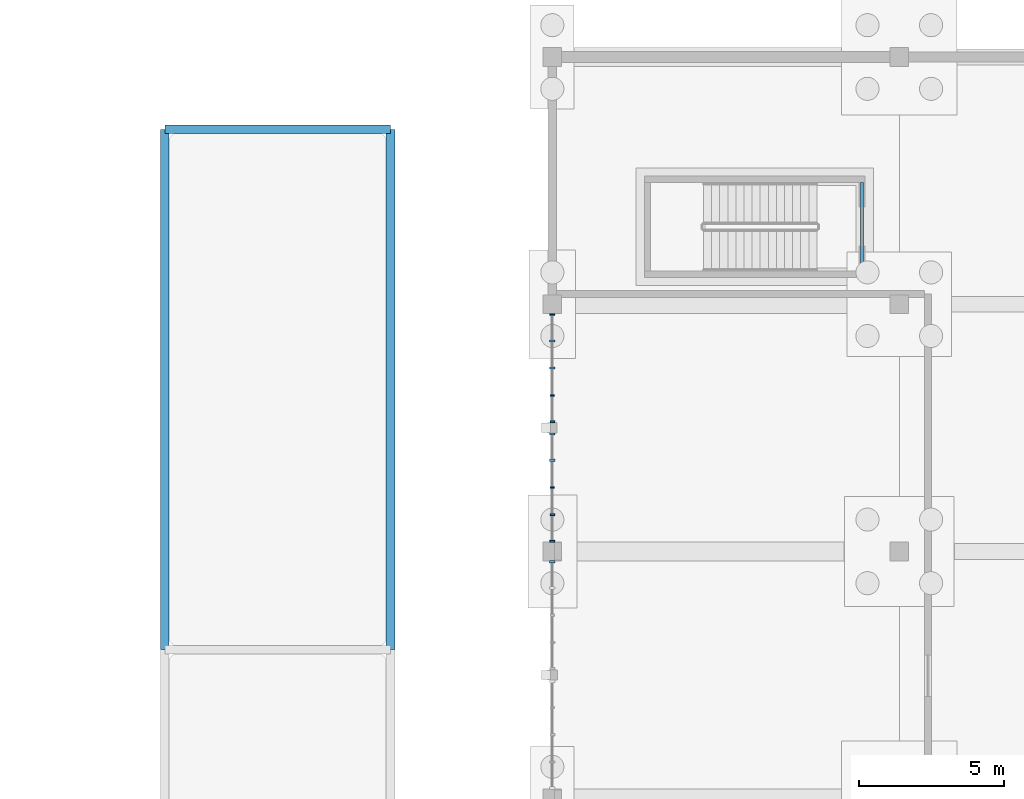
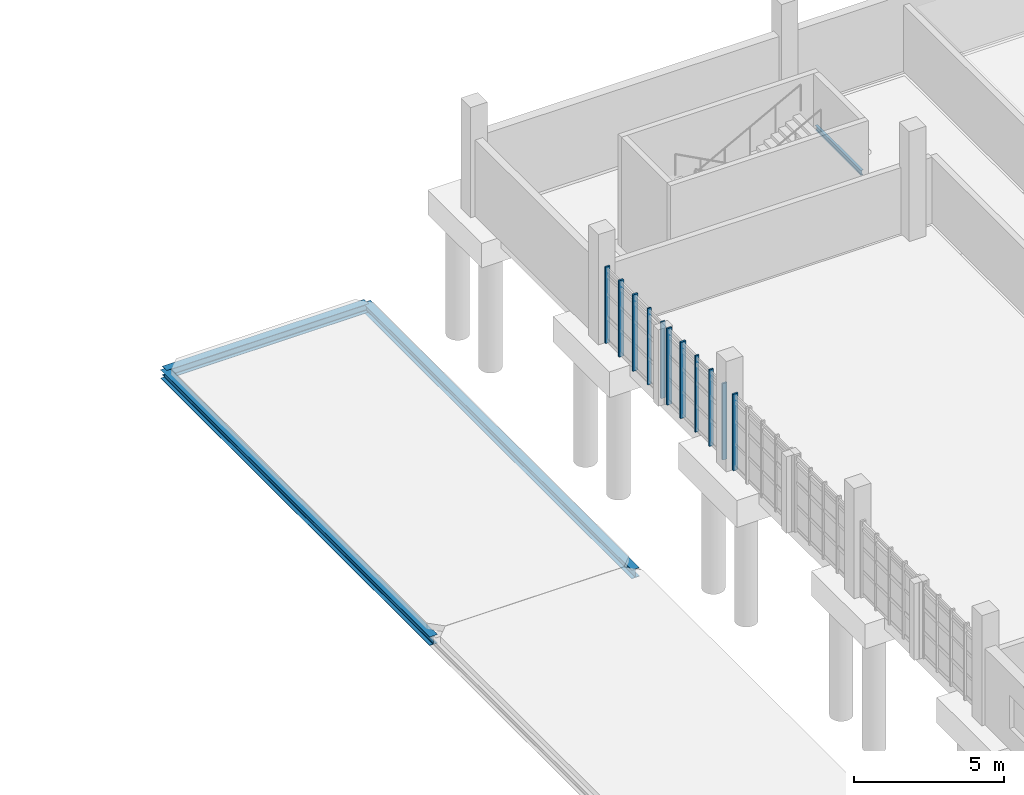
# One storey, part 50 of 125: 11 members, 4 beams, 3 elements without a shape of their own.
"""IFC4 building model written with IfcOpenShell, lengths in metres."""

from ifc_helpers import new_model, si_unit, direction, frame, origin, origin_2d, place, context, subcontext, project, spatial, rectangle, i_section, extrude, material, material_profile, profile_set, type_object, element, aggregate, save


model = new_model("IFC4")

# Units and contexts
model_context = context("Model", 3, precision=1e-05, world=origin(), true_north=direction((0.0, 1.0)))
body_context = subcontext(model_context, "Body", "Model", "MODEL_VIEW")
ifc_project = project(units=[si_unit("LENGTHUNIT", "METRE"), si_unit("AREAUNIT", "SQUARE_METRE"), si_unit("VOLUMEUNIT", "CUBIC_METRE"), si_unit("PLANEANGLEUNIT", "RADIAN"), si_unit("MASSUNIT", "GRAM", prefix="KILO")], contexts=[model_context])

# Site, building, storey
site_placement = place(None, origin())
site = spatial("IfcSite", under=ifc_project, at=site_placement, CompositionType="ELEMENT")
building_placement = place(site_placement, origin())
building = spatial("IfcBuilding", under=site, at=building_placement, Name="Serraforn Aerial Cableway Station", CompositionType="ELEMENT")
storey_placement = place(building_placement, frame((0.0, 0.0, 4.5)))
storey = spatial("IfcBuildingStorey", under=building, at=storey_placement, Name="L01", CompositionType="ELEMENT", Elevation=4.5)

# Beams
ifc_material_1 = material(Name="Steel S355JR", Category="steel")
ifc_material_profile_1 = material_profile(ifc_material_1, i_section(OverallWidth=0.300048828125, OverallDepth=0.360107421875, WebThickness=0.010009765625, FlangeThickness=0.017578125, FilletRadius=0.027099609375, at=origin_2d()), Name="HEA 360")
ifc_profile_set_1 = profile_set([ifc_material_profile_1], Name="Steel S355JR")
beam_type_1 = type_object("IfcBeamType", Name="BM-ST-HEA360", PredefinedType="BEAM", material=ifc_profile_set_1)
beam_1_placement = place(storey_placement, frame((130.60009765625, 111.5, -0.425048828125), z_axis=(1.0, 0.0, 0.0), x_axis=(0.0, 1.0, 0.0)))
element("IfcBeam", 1, at=beam_1_placement, inside=storey, type_object=beam_type_1, Name="Colonnade Spandrel Beam EX-1-4", PredefinedType="BEAM", context=body_context, shape_type="SweptSolid", body=[
    extrude(i_section(OverallWidth=0.300048828125, OverallDepth=0.360107421875, WebThickness=0.010009765625, FlangeThickness=0.017578125, FilletRadius=0.027099609375, at=origin_2d()), origin(), (0.0, 0.0, 1.0), 7.7998046875),
])
for number, where, z_axis, x_axis, name in (
    (2, (130.60009765625, 93.5, -0.425048828125), (0.0, 1.0, 0.0), (-1.0, 0.0, 0.0), "Colonnade Cross Beam EY-1-3"),
    (3, (138.39990234375, 93.5, -0.425048828125), (0.0, 1.0, 0.0), (-1.0, 0.0, 0.0), "Colonnade Cross Beam EY-2-3"),
):
    element("IfcBeam", number, at=place(storey_placement, frame(where, z_axis=z_axis, x_axis=x_axis)), inside=storey, type_object=beam_type_1, Name=name, PredefinedType="BEAM", context=body_context, shape_type="SweptSolid", body=[
        extrude(i_section(OverallWidth=0.300048828125, OverallDepth=0.360107421875, WebThickness=0.010009765625, FlangeThickness=0.017578125, FilletRadius=0.027099609375, at=origin_2d()), origin(), (0.0, 0.0, 1.0), 18.0),
    ])
ifc_material_profile_2 = material_profile(ifc_material_1, i_section(OverallWidth=0.10009765625, OverallDepth=0.199951171875, WebThickness=0.005615234375, FlangeThickness=0.008544921875, FilletRadius=0.011962890625, at=origin_2d()), Name="IPE 200")
ifc_profile_set_2 = profile_set([ifc_material_profile_2], Name="Steel S355JR")
beam_type_2 = type_object("IfcBeamType", Name="BM-ST-IPE200", PredefinedType="LINTEL", material=ifc_profile_set_2)
beam_2_placement = place(storey_placement, frame((154.7099609375, 109.659912109375, 2.27490234375), z_axis=(0.0, -1.0, 0.0), x_axis=(1.0, 0.0, 0.0)))
element("IfcBeam", 4, at=beam_2_placement, inside=storey, type_object=beam_type_2, Name="Stair Core Door Lintel D-S37", PredefinedType="LINTEL", context=body_context, shape_type="SweptSolid", body=[
    extrude(i_section(OverallWidth=0.10009765625, OverallDepth=0.199951171875, WebThickness=0.005615234375, FlangeThickness=0.008544921875, FilletRadius=0.011962890625, at=origin_2d()), origin(), (0.0, 0.0, 1.0), 3.059814453125),
])

# Curtain wall, member
ifc_material_2 = material(Name="Anodised bronze unitised curtain wall")
curtain_wall_type_1 = type_object("IfcCurtainWallType", Name="CW-SYS-19", PredefinedType="USERDEFINED", material=ifc_material_2)
curtain_wall_1_placement = place(storey_placement, origin())
curtain_wall_1 = element("IfcCurtainWall", 5, at=curtain_wall_1_placement, inside=storey, type_object=curtain_wall_type_1, Name="Unitised Curtain Wall CW-EG-L01-W7A", ObjectType="UNITISED CURTAIN WALL", PredefinedType="USERDEFINED")
ifc_material_3 = material(Name="Anodised bronze extruded aluminium", Category="aluminium")
ifc_material_profile_3 = material_profile(ifc_material_3, rectangle(XDim=0.054931640625, YDim=0.139892578125, at=origin_2d()), Name="CW MULLION 55x140")
ifc_profile_set_3 = profile_set([ifc_material_profile_3], Name="Anodised bronze extruded aluminium")
member_type_1 = type_object("IfcMemberType", Name="CW-MUL-1", PredefinedType="MULLION", material=ifc_profile_set_3)
member_1_placement = place(storey_placement, frame((144.0, 102.298095703125, 0.0), z_axis=(0.0, 0.0, 1.0), x_axis=(0.0, -1.0, 0.0)))
member_1 = element("IfcMember", 6, at=member_1_placement, type_object=member_type_1, Name="Curtain Wall Mullion CW-EG-L01-W7A-M4", PredefinedType="MULLION", context=body_context, shape_type="SweptSolid", body=[
    extrude(rectangle(XDim=0.054931640625, YDim=0.139892578125, at=origin_2d()), origin(), (0.0, 0.0, 1.0), 3.1201171875),
])

curtain_wall_type_2 = type_object("IfcCurtainWallType", Name="CW-SYS-20", PredefinedType="USERDEFINED", material=ifc_material_2)
curtain_wall_2_placement = place(storey_placement, origin())
curtain_wall_2 = element("IfcCurtainWall", 7, at=curtain_wall_2_placement, inside=storey, type_object=curtain_wall_type_2, Name="Unitised Curtain Wall CW-EG-L01-W7B", ObjectType="UNITISED CURTAIN WALL", PredefinedType="USERDEFINED")
member_2_placement = place(storey_placement, frame((144.0, 99.10888671875, 0.0), z_axis=(0.0, 0.0, 1.0), x_axis=(0.0, -1.0, 0.0)))
member_2 = element("IfcMember", 8, at=member_2_placement, type_object=member_type_1, Name="Curtain Wall Mullion CW-EG-L01-W7B-M3", PredefinedType="MULLION", context=body_context, shape_type="SweptSolid", body=[
    extrude(rectangle(XDim=0.054931640625, YDim=0.139892578125, at=origin_2d()), origin(), (0.0, 0.0, 1.0), 3.1201171875),
])

# Member
ifc_material_profile_4 = material_profile(ifc_material_3, rectangle(XDim=0.06005859375, YDim=0.159912109375, at=origin_2d()), Name="CW MULLION 60x160")
ifc_profile_set_4 = profile_set([ifc_material_profile_4], Name="Anodised bronze extruded aluminium")
member_type_2 = type_object("IfcMemberType", Name="CW-MUL-2", PredefinedType="MULLION", material=ifc_profile_set_4)
member_3_placement = place(storey_placement, frame((144.0, 101.385009765625, 0.0), z_axis=(0.0, 0.0, 1.0), x_axis=(0.0, -1.0, 0.0)))
member_3 = element("IfcMember", 9, at=member_3_placement, type_object=member_type_2, Name="Curtain Wall Mullion CW-EG-L01-W7A-M5", PredefinedType="MULLION", context=body_context, shape_type="SweptSolid", body=[
    extrude(rectangle(XDim=0.06005859375, YDim=0.159912109375, at=origin_2d()), origin(), (0.0, 0.0, 1.0), 3.1201171875),
])

member_4_placement = place(storey_placement, frame((144.0, 98.166015625, 0.0), z_axis=(0.0, 0.0, 1.0), x_axis=(0.0, -1.0, 0.0)))
member_4 = element("IfcMember", 10, at=member_4_placement, type_object=member_type_2, Name="Curtain Wall Mullion CW-EG-L01-W7B-M4", PredefinedType="MULLION", context=body_context, shape_type="SweptSolid", body=[
    extrude(rectangle(XDim=0.06005859375, YDim=0.159912109375, at=origin_2d()), origin(), (0.0, 0.0, 1.0), 3.1201171875),
])

ifc_material_profile_5 = material_profile(ifc_material_3, rectangle(XDim=0.06494140625, YDim=0.175048828125, at=origin_2d()), Name="CW MULLION 65x175")
ifc_profile_set_5 = profile_set([ifc_material_profile_5], Name="Anodised bronze extruded aluminium")
member_type_3 = type_object("IfcMemberType", Name="CW-MUL-3", PredefinedType="MULLION", material=ifc_profile_set_5)
member_5_placement = place(storey_placement, frame((144.0, 105.094482421875, 0.0), z_axis=(0.0, 0.0, 1.0), x_axis=(0.0, -1.0, 0.0)))
member_5 = element("IfcMember", 11, at=member_5_placement, type_object=member_type_3, Name="Curtain Wall Mullion CW-EG-L01-W7A-M1", PredefinedType="MULLION", context=body_context, shape_type="SweptSolid", body=[
    extrude(rectangle(XDim=0.06494140625, YDim=0.175048828125, at=origin_2d()), origin(), (0.0, 0.0, 1.0), 3.1201171875),
])

member_6_placement = place(storey_placement, frame((144.0, 97.255615234375, 0.0), z_axis=(0.0, 0.0, 1.0), x_axis=(0.0, -1.0, 0.0)))
member_6 = element("IfcMember", 12, at=member_6_placement, type_object=member_type_3, Name="Curtain Wall Mullion CW-EG-L01-W7B-M5", PredefinedType="MULLION", context=body_context, shape_type="SweptSolid", body=[
    extrude(rectangle(XDim=0.06494140625, YDim=0.175048828125, at=origin_2d()), origin(), (0.0, 0.0, 1.0), 3.1201171875),
])

# Curtain wall, member
curtain_wall_type_3 = type_object("IfcCurtainWallType", Name="CW-SYS-15", PredefinedType="USERDEFINED", material=ifc_material_2)
curtain_wall_3_placement = place(storey_placement, origin())
curtain_wall_3 = element("IfcCurtainWall", 13, at=curtain_wall_3_placement, inside=storey, type_object=curtain_wall_type_3, Name="Unitised Curtain Wall CW-EG-L01-W6A", ObjectType="UNITISED CURTAIN WALL", PredefinedType="USERDEFINED")
ifc_material_profile_6 = material_profile(ifc_material_3, rectangle(XDim=0.070068359375, YDim=0.18994140625, at=origin_2d()), Name="CW MULLION 70x190")
ifc_profile_set_6 = profile_set([ifc_material_profile_6], Name="Anodised bronze extruded aluminium")
member_type_4 = type_object("IfcMemberType", Name="CW-MUL-4", PredefinedType="MULLION", material=ifc_profile_set_6)
member_7_placement = place(storey_placement, frame((144.0, 96.5419921875, 0.0), z_axis=(0.0, 0.0, 1.0), x_axis=(0.0, -1.0, 0.0)))
member_7 = element("IfcMember", 14, at=member_7_placement, type_object=member_type_4, Name="Curtain Wall Mullion CW-EG-L01-W6A-M1", PredefinedType="MULLION", context=body_context, shape_type="SweptSolid", body=[
    extrude(rectangle(XDim=0.070068359375, YDim=0.18994140625, at=origin_2d()), origin(), (0.0, 0.0, 1.0), 3.1201171875),
])
aggregate(curtain_wall_3, [member_7])

# Member
member_8_placement = place(storey_placement, frame((144.0, 104.18408203125, 0.0), z_axis=(0.0, 0.0, 1.0), x_axis=(0.0, -1.0, 0.0)))
member_8 = element("IfcMember", 15, at=member_8_placement, type_object=member_type_4, Name="Curtain Wall Mullion CW-EG-L01-W7A-M2", PredefinedType="MULLION", context=body_context, shape_type="SweptSolid", body=[
    extrude(rectangle(XDim=0.070068359375, YDim=0.18994140625, at=origin_2d()), origin(), (0.0, 0.0, 1.0), 3.1201171875),
])

member_9_placement = place(storey_placement, frame((144.0, 100.9599609375, 0.0), z_axis=(0.0, 0.0, 1.0), x_axis=(0.0, -1.0, 0.0)))
member_9 = element("IfcMember", 16, at=member_9_placement, type_object=member_type_4, Name="Curtain Wall Mullion CW-EG-L01-W7B-M1", PredefinedType="MULLION", context=body_context, shape_type="SweptSolid", body=[
    extrude(rectangle(XDim=0.070068359375, YDim=0.18994140625, at=origin_2d()), origin(), (0.0, 0.0, 1.0), 3.1201171875),
])

ifc_material_profile_7 = material_profile(ifc_material_3, rectangle(XDim=0.074951171875, YDim=0.199951171875, at=origin_2d()), Name="CW MULLION 75x200")
ifc_profile_set_7 = profile_set([ifc_material_profile_7], Name="Anodised bronze extruded aluminium")
member_type_5 = type_object("IfcMemberType", Name="CW-MUL-5", PredefinedType="MULLION", material=ifc_profile_set_7)
member_10_placement = place(storey_placement, frame((144.0, 103.240966796875, 0.0), z_axis=(0.0, 0.0, 1.0), x_axis=(0.0, -1.0, 0.0)))
member_10 = element("IfcMember", 17, at=member_10_placement, type_object=member_type_5, Name="Curtain Wall Mullion CW-EG-L01-W7A-M3", PredefinedType="MULLION", context=body_context, shape_type="SweptSolid", body=[
    extrude(rectangle(XDim=0.074951171875, YDim=0.199951171875, at=origin_2d()), origin(), (0.0, 0.0, 1.0), 3.1201171875),
])

aggregate(curtain_wall_1, [member_5, member_8, member_10, member_1, member_3])

member_11_placement = place(storey_placement, frame((144.0, 100.052001953125, 0.0), z_axis=(0.0, 0.0, 1.0), x_axis=(0.0, -1.0, 0.0)))
member_11 = element("IfcMember", 18, at=member_11_placement, type_object=member_type_5, Name="Curtain Wall Mullion CW-EG-L01-W7B-M2", PredefinedType="MULLION", context=body_context, shape_type="SweptSolid", body=[
    extrude(rectangle(XDim=0.074951171875, YDim=0.199951171875, at=origin_2d()), origin(), (0.0, 0.0, 1.0), 3.1201171875),
])

aggregate(curtain_wall_2, [member_9, member_11, member_2, member_4, member_6])

save(model, "model.ifc")
